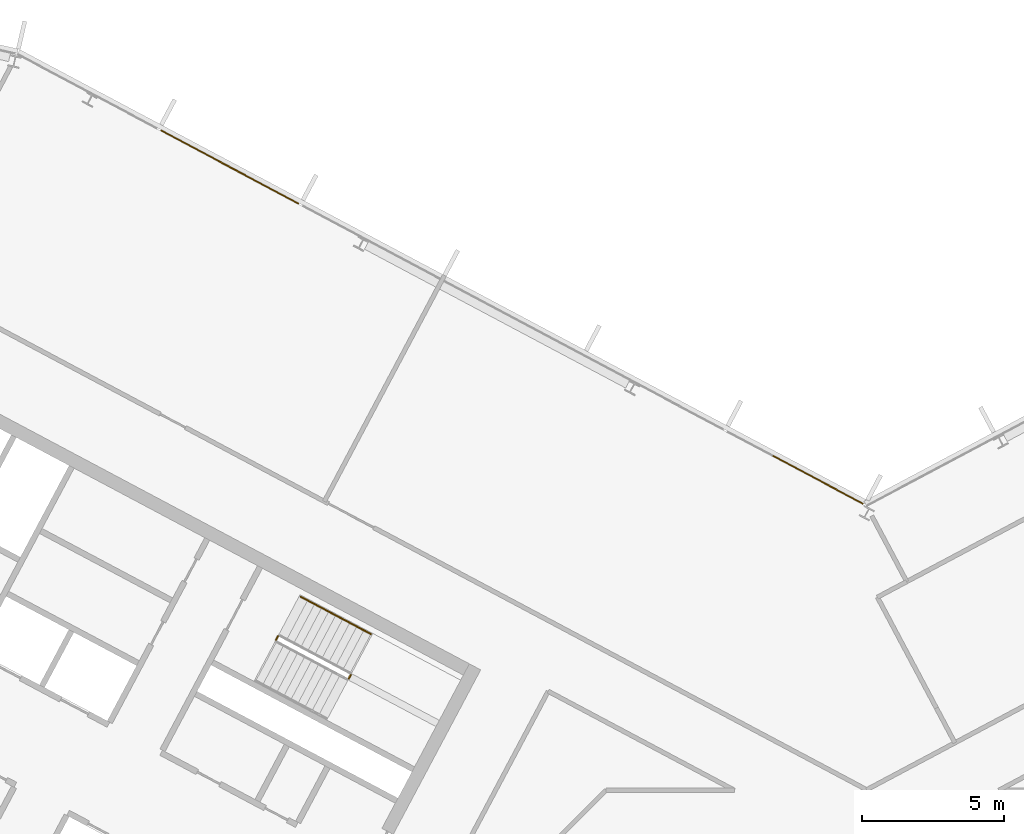
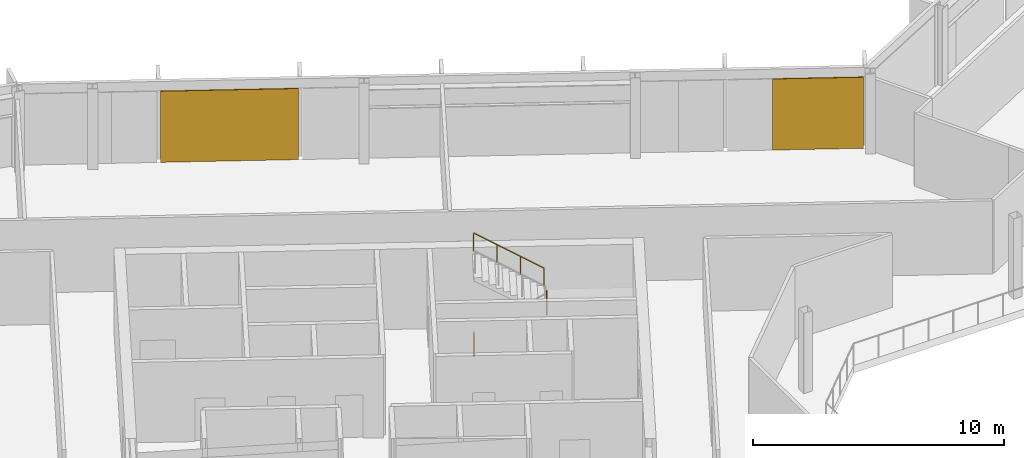
# One storey, part 23 of 26: 3 railings, 2 coverings, 1 element without a shape of its own.
"""IFC4 building model written with IfcOpenShell, lengths in metres."""

from ifc_helpers import new_model, si_unit, direction, frame, origin, origin_2d, place, context, subcontext, project, spatial, polyline, rectangle, outline, extrude, material, layer, layer_set, type_object, element, aggregate, save


model = new_model("IFC4")

# Units and contexts
model_context = context("Model", 3, precision=1e-05, world=origin(), true_north=direction((0.0, 1.0)))
body_context = subcontext(model_context, "Body", "Model", "MODEL_VIEW")
ifc_project = project(units=[si_unit("LENGTHUNIT", "METRE"), si_unit("AREAUNIT", "SQUARE_METRE"), si_unit("VOLUMEUNIT", "CUBIC_METRE"), si_unit("PLANEANGLEUNIT", "RADIAN"), si_unit("MASSUNIT", "GRAM", prefix="KILO")], contexts=[model_context])

# Site, building, storey
site_placement = place(None, origin())
site = spatial("IfcSite", under=ifc_project, at=site_placement, CompositionType="ELEMENT")
building_placement = place(site_placement, origin())
building = spatial("IfcBuilding", under=site, at=building_placement, Name="Cormorant Relay Tower", CompositionType="ELEMENT")
storey_placement = place(building_placement, frame((0.0, 0.0, 277.5)))
storey = spatial("IfcBuildingStorey", under=building, at=storey_placement, Name="L62", CompositionType="ELEMENT", Elevation=277.5)

# Curtain wall, coverings
ifc_material_1 = material(Name="Aluminium 6063-T6 anodised bronze", Category="aluminium")
ifc_layer_1 = layer(ifc_material_1, 0.199951171875)
ifc_layer_set_1 = layer_set([ifc_layer_1], Name="CW1 unitised bronze curtain wall with vertical fins")
curtain_wall_type = type_object("IfcCurtainWallType", Name="CW1 unitised bronze curtain wall with vertical fins", PredefinedType="NOTDEFINED", material=ifc_layer_set_1)
curtain_wall_placement = place(storey_placement, origin())
curtain_wall = element("IfcCurtainWall", 1, at=curtain_wall_placement, inside=storey, type_object=curtain_wall_type, Name="CW1 curtain wall 9", PredefinedType="NOTDEFINED")
ifc_material_2 = material(Name="Pale bronze anodised aluminium insulated panel", Category="aluminium")
ifc_layer_2 = layer(ifc_material_2, 0.0400390625)
ifc_layer_set_2 = layer_set([ifc_layer_2], Name="CW1 pale bronze insulated panel 40")
covering_type = type_object("IfcCoveringType", Name="CW1 pale bronze insulated panel 40", PredefinedType="CLADDING", material=ifc_layer_set_2)
covering_1_placement = place(storey_placement, frame((-1.718505859375, 24.720458984375, 0.0), z_axis=(0.0, 0.0, 1.0), x_axis=(-0.882947592859, 0.469471562786, 0.0)))
covering_1 = element("IfcCovering", 2, at=covering_1_placement, type_object=covering_type, Name="CW1 panel S00", PredefinedType="CLADDING", context=body_context, shape_type="SweptSolid", body=[
    extrude(rectangle(XDim=3.614013671875, YDim=0.0400390625, at=origin_2d()), origin(), (0.0, 0.0, 1.0), 3.449951171875),
])
covering_2_placement = place(storey_placement, frame((-22.39599609375, 35.714599609375, 0.0), z_axis=(0.0, 0.0, 1.0), x_axis=(-0.882947592859, 0.469471562786, 0.0)))
covering_2 = element("IfcCovering", 3, at=covering_2_placement, type_object=covering_type, Name="CW1 panel S05", PredefinedType="CLADDING", context=body_context, shape_type="SweptSolid", body=[
    extrude(rectangle(XDim=5.489013671875, YDim=0.0400390625, at=origin_2d()), origin(), (0.0, 0.0, 1.0), 3.449951171875),
])
aggregate(curtain_wall, [covering_1, covering_2])

# Railings
ifc_material_3 = material(Name="Steel ASTM A572 Grade 50 (Fy 345 MPa)", Category="steel")
railing_type_1 = type_object("IfcRailingType", Name="Stair guard 1100", PredefinedType="GUARDRAIL", material=ifc_material_3)
railing_1_placement = place(storey_placement, frame((-18.210693359375, 17.72412109375, 1.949951171875)))
element("IfcRailing", 4, at=railing_1_placement, inside=storey, type_object=railing_type_1, Name="L62 A1 stair guard 2", PredefinedType="GUARDRAIL", context=body_context, shape_type="SweptSolid", body=[
    extrude(outline(polyline([(0.022216796875, 0.00927734375), (0.00927734375, 0.022216796875), (-0.00927734375, 0.022216796875), (-0.022216796875, 0.00927734375), (-0.022216796875, -0.00927734375), (-0.00927734375, -0.022216796875), (0.00927734375, -0.022216796875), (0.022216796875, -0.00927734375), (0.022216796875, 0.00927734375)])), frame((0.0, 0.0, 1.076171875), z_axis=(0.470503732759, 0.882398003998, 0.0), x_axis=(-0.882398003998, 0.470503732759, 0.0)), (0.0, 0.0, 1.0), 0.14990234375),
    extrude(outline(polyline([(0.019287109375, 0.008056640625), (0.008056640625, 0.019287109375), (-0.008056640625, 0.019287109375), (-0.019287109375, 0.008056640625), (-0.019287109375, -0.008056640625), (-0.008056640625, -0.019287109375), (0.008056640625, -0.019287109375), (0.019287109375, -0.008056640625), (0.019287109375, 0.008056640625)])), origin(), (0.0, 0.0, 1.0), 1.052001953125),
    extrude(outline(polyline([(0.019287109375, 0.008056640625), (0.008056640625, 0.019287109375), (-0.008056640625, 0.019287109375), (-0.019287109375, 0.008056640625), (-0.019287109375, -0.008056640625), (-0.008056640625, -0.019287109375), (0.008056640625, -0.019287109375), (0.019287109375, -0.008056640625), (0.019287109375, 0.008056640625)])), frame((0.070556640625, 0.13232421875, 0.0)), (0.0, 0.0, 1.0), 1.052001953125),
])
railing_2_placement = place(storey_placement, frame((-20.771240234375, 19.08544921875, 0.0)))
element("IfcRailing", 5, at=railing_2_placement, inside=storey, type_object=railing_type_1, Name="L62 A1 stair guard 4", PredefinedType="GUARDRAIL", context=body_context, shape_type="SweptSolid", body=[
    extrude(outline(polyline([(0.022216796875, 0.00927734375), (0.00927734375, 0.022216796875), (-0.00927734375, 0.022216796875), (-0.022216796875, 0.00927734375), (-0.022216796875, -0.00927734375), (-0.00927734375, -0.022216796875), (0.00927734375, -0.022216796875), (0.022216796875, -0.00927734375), (0.022216796875, 0.00927734375)])), frame((0.0, 0.0, 1.076171875), z_axis=(0.469828648786, 0.882757634224, 0.0), x_axis=(-0.882757634224, 0.469828648786, 0.0)), (0.0, 0.0, 1.0), 0.150146484375),
    extrude(outline(polyline([(0.019287109375, 0.008056640625), (0.008056640625, 0.019287109375), (-0.008056640625, 0.019287109375), (-0.019287109375, 0.008056640625), (-0.019287109375, -0.008056640625), (-0.008056640625, -0.019287109375), (0.008056640625, -0.019287109375), (0.019287109375, -0.008056640625), (0.019287109375, 0.008056640625)])), origin(), (0.0, 0.0, 1.0), 1.052001953125),
    extrude(outline(polyline([(0.019287109375, 0.008056640625), (0.008056640625, 0.019287109375), (-0.008056640625, 0.019287109375), (-0.019287109375, 0.008056640625), (-0.019287109375, -0.008056640625), (-0.008056640625, -0.019287109375), (0.008056640625, -0.019287109375), (0.019287109375, -0.008056640625), (0.019287109375, 0.008056640625)])), frame((0.070556640625, 0.132568359375, 0.0)), (0.0, 0.0, 1.0), 1.052001953125),
])
ifc_material_4 = material(Name="Steel ASTM A572 Grade 50 (Fy 345 MPa)", Category="steel")
railing_type_2 = type_object("IfcRailingType", Name="Stair handrail 900", PredefinedType="HANDRAIL", material=ifc_material_4)
railing_3_placement = place(storey_placement, frame((-17.433349609375, 19.292724609375, 2.127197265625)))
element("IfcRailing", 6, at=railing_3_placement, inside=storey, type_object=railing_type_2, Name="L62 A1 stair handrail 2", PredefinedType="HANDRAIL", context=body_context, shape_type="SweptSolid", body=[
    extrude(outline(polyline([(0.022216796875, 0.00927734375), (0.00927734375, 0.022216796875), (-0.00927734375, 0.022216796875), (-0.022216796875, 0.00927734375), (-0.022216796875, -0.00927734375), (-0.00927734375, -0.022216796875), (0.00927734375, -0.022216796875), (0.022216796875, -0.00927734375), (0.022216796875, 0.00927734375)])), frame((0.0, 0.0, 0.8759765625), z_axis=(-0.746001213114, 0.396649272309, 0.534931345884), x_axis=(-0.469465464807, -0.882950835185, 0.0)), (0.0, 0.0, 1.0), 3.31396484375),
    extrude(outline(polyline([(0.019287109375, 0.008056640625), (0.008056640625, 0.019287109375), (-0.008056640625, 0.019287109375), (-0.019287109375, 0.008056640625), (-0.019287109375, -0.008056640625), (-0.008056640625, -0.019287109375), (0.008056640625, -0.019287109375), (0.019287109375, -0.008056640625), (0.019287109375, 0.008056640625)])), origin(), (0.0, 0.0, 1.0), 0.851806640625),
    extrude(outline(polyline([(0.019287109375, 0.008056640625), (0.008056640625, 0.019287109375), (-0.008056640625, 0.019287109375), (-0.019287109375, 0.008056640625), (-0.019287109375, -0.008056640625), (-0.008056640625, -0.019287109375), (0.008056640625, -0.019287109375), (0.019287109375, -0.008056640625), (0.019287109375, 0.008056640625)])), frame((-0.823974609375, 0.438232421875, 0.5908203125)), (0.0, 0.0, 1.0), 0.851806640625),
    extrude(outline(polyline([(0.019287109375, 0.008056640625), (0.008056640625, 0.019287109375), (-0.008056640625, 0.019287109375), (-0.019287109375, 0.008056640625), (-0.019287109375, -0.008056640625), (-0.008056640625, -0.019287109375), (0.008056640625, -0.019287109375), (0.019287109375, -0.008056640625), (0.019287109375, 0.008056640625)])), frame((-1.648193359375, 0.876220703125, 1.181884765625)), (0.0, 0.0, 1.0), 0.851806640625),
    extrude(outline(polyline([(0.019287109375, 0.008056640625), (0.008056640625, 0.019287109375), (-0.008056640625, 0.019287109375), (-0.019287109375, 0.008056640625), (-0.019287109375, -0.008056640625), (-0.008056640625, -0.019287109375), (0.008056640625, -0.019287109375), (0.019287109375, -0.008056640625), (0.019287109375, 0.008056640625)])), frame((-2.47216796875, 1.314453125, 1.772705078125)), (0.0, 0.0, 1.0), 0.851806640625),
])

save(model, "model.ifc")
